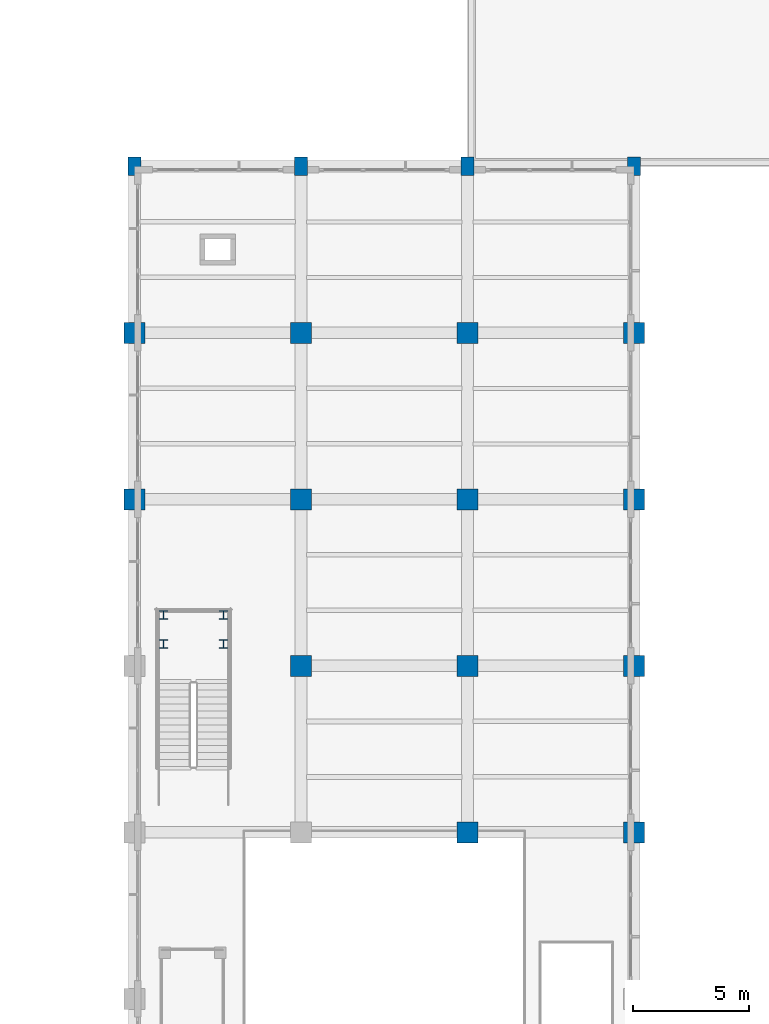
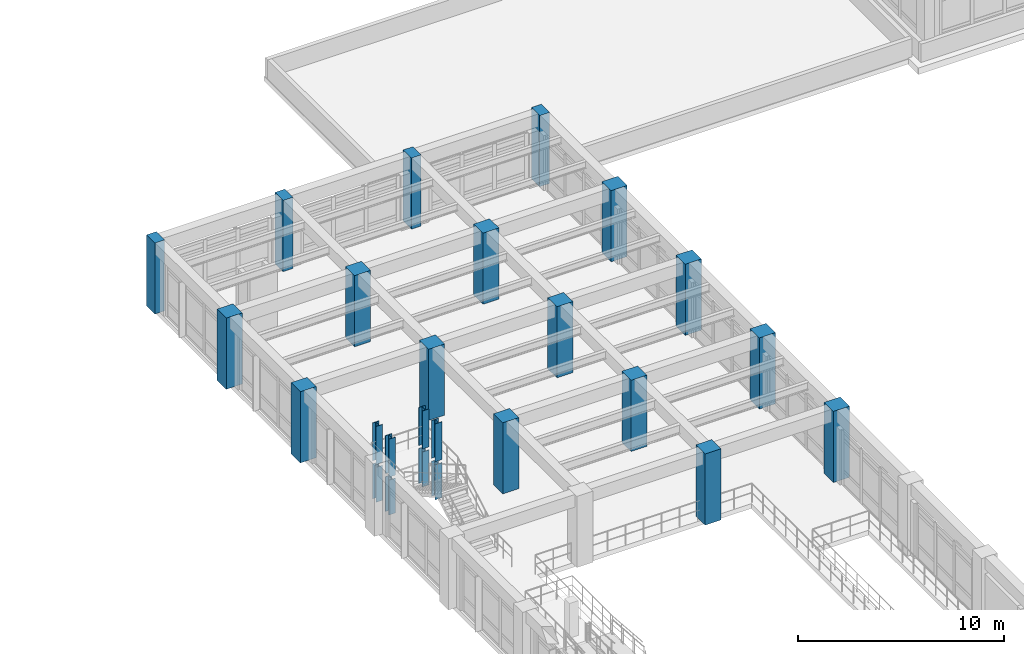
# One storey, part 2 of 69: 25 columns.
"""IFC4 building model written with IfcOpenShell, lengths in metres."""

from ifc_helpers import new_model, si_unit, direction, frame, origin, origin_2d, place, context, subcontext, project, spatial, rectangle, i_section, extrude, material, material_profile, profile_set, type_object, element, save


model = new_model("IFC4")

# Units and contexts
model_context = context("Model", 3, precision=1e-05, world=origin(), true_north=direction((0.0, 1.0)))
body_context = subcontext(model_context, "Body", "Model", "MODEL_VIEW")
ifc_project = project(units=[si_unit("LENGTHUNIT", "METRE"), si_unit("AREAUNIT", "SQUARE_METRE"), si_unit("VOLUMEUNIT", "CUBIC_METRE"), si_unit("PLANEANGLEUNIT", "RADIAN"), si_unit("MASSUNIT", "GRAM", prefix="KILO")], contexts=[model_context])

# Site, building, storey
site_placement = place(None, origin())
site = spatial("IfcSite", under=ifc_project, at=site_placement, CompositionType="ELEMENT")
building_placement = place(site_placement, origin())
building = spatial("IfcBuilding", under=site, at=building_placement, Name="Solenvale Faculty of Natural Sciences", CompositionType="ELEMENT")
storey_placement = place(building_placement, frame((0.0, 0.0, 4.5)))
storey = spatial("IfcBuildingStorey", under=building, at=storey_placement, Name="L01", CompositionType="ELEMENT", Elevation=4.5)

# Columns
ifc_material_1 = material(Name="Concrete 50 MPa", Category="concrete")
ifc_material_profile_1 = material_profile(ifc_material_1, rectangle(XDim=0.550048828125, YDim=0.800048828125, at=origin_2d()), Name="RC-COL-550x800")
ifc_profile_set_1 = profile_set([ifc_material_profile_1], Name="Concrete 50 MPa")
column_type_1 = type_object("IfcColumnType", Name="COL-RC-550x800", PredefinedType="COLUMN", material=ifc_profile_set_1)
for number, where, z_axis, x_axis, name in (
    (1, (36.0, 93.60009765625, 0.0), (0.0, 0.0, 1.0), (1.0, 0.0, 0.0), "L01 Column (36.0, 93.6)"),
    (2, (43.199951171875, 93.60009765625, 0.0), (0.0, 0.0, 1.0), (1.0, 0.0, 0.0), "L01 Column (43.2, 93.6)"),
    (3, (50.39990234375, 93.60009765625, 0.0), (0.0, 0.0, 1.0), (1.0, 0.0, 0.0), "L01 Column (50.4, 93.6)"),
    (4, (57.60009765625, 93.60009765625, 0.0), (0.0, 0.0, 1.0), (1.0, 0.0, 0.0), "L01 Column (57.6, 93.6)"),
):
    element("IfcColumn", number, at=place(storey_placement, frame(where, z_axis=z_axis, x_axis=x_axis)), inside=storey, type_object=column_type_1, Name=name, PredefinedType="COLUMN", context=body_context, shape_type="SweptSolid", body=[
        extrude(rectangle(XDim=0.550048828125, YDim=0.800048828125, at=origin_2d()), origin(), (0.0, 0.0, 1.0), 4.219970703125),
    ])
ifc_material_profile_2 = material_profile(ifc_material_1, rectangle(XDim=0.89990234375, YDim=0.89990234375, at=origin_2d()), Name="RC-COL-900x900")
ifc_profile_set_2 = profile_set([ifc_material_profile_2], Name="Concrete 50 MPa")
column_type_2 = type_object("IfcColumnType", Name="COL-RC-900", PredefinedType="COLUMN", material=ifc_profile_set_2)
for number, where, z_axis, x_axis, name in (
    (5, (36.0, 79.199951171875, 0.0), (0.0, 0.0, 1.0), (1.0, 0.0, 0.0), "L01 Column (36.0, 79.2)"),
    (6, (36.0, 86.39990234375, 0.0), (0.0, 0.0, 1.0), (1.0, 0.0, 0.0), "L01 Column (36.0, 86.4)"),
    (7, (43.199951171875, 72.0, 0.0), (0.0, 0.0, 1.0), (1.0, 0.0, 0.0), "L01 Column (43.2, 72.0)"),
    (8, (43.199951171875, 79.199951171875, 0.0), (0.0, 0.0, 1.0), (1.0, 0.0, 0.0), "L01 Column (43.2, 79.2)"),
    (9, (43.199951171875, 86.39990234375, 0.0), (0.0, 0.0, 1.0), (1.0, 0.0, 0.0), "L01 Column (43.2, 86.4)"),
    (10, (50.39990234375, 64.800048828125, 0.0), (0.0, 0.0, 1.0), (1.0, 0.0, 0.0), "L01 Column (50.4, 64.8)"),
    (11, (50.39990234375, 72.0, 0.0), (0.0, 0.0, 1.0), (1.0, 0.0, 0.0), "L01 Column (50.4, 72.0)"),
    (12, (50.39990234375, 79.199951171875, 0.0), (0.0, 0.0, 1.0), (1.0, 0.0, 0.0), "L01 Column (50.4, 79.2)"),
    (13, (50.39990234375, 86.39990234375, 0.0), (0.0, 0.0, 1.0), (1.0, 0.0, 0.0), "L01 Column (50.4, 86.4)"),
    (14, (57.60009765625, 64.800048828125, 0.0), (0.0, 0.0, 1.0), (1.0, 0.0, 0.0), "L01 Column (57.6, 64.8)"),
    (15, (57.60009765625, 72.0, 0.0), (0.0, 0.0, 1.0), (1.0, 0.0, 0.0), "L01 Column (57.6, 72.0)"),
    (16, (57.60009765625, 79.199951171875, 0.0), (0.0, 0.0, 1.0), (1.0, 0.0, 0.0), "L01 Column (57.6, 79.2)"),
    (17, (57.60009765625, 86.39990234375, 0.0), (0.0, 0.0, 1.0), (1.0, 0.0, 0.0), "L01 Column (57.6, 86.4)"),
):
    element("IfcColumn", number, at=place(storey_placement, frame(where, z_axis=z_axis, x_axis=x_axis)), inside=storey, type_object=column_type_2, Name=name, PredefinedType="COLUMN", context=body_context, shape_type="SweptSolid", body=[
        extrude(rectangle(XDim=0.89990234375, YDim=0.89990234375, at=origin_2d()), origin(), (0.0, 0.0, 1.0), 4.219970703125),
    ])
ifc_material_2 = material(Name="Steel S355", Category="steel")
ifc_material_profile_3 = material_profile(ifc_material_2, i_section(OverallWidth=0.37109375, OverallDepth=0.364013671875, WebThickness=0.01318359375, FlangeThickness=0.021728515625, FilletRadius=0.02197265625, at=origin_2d()), Name="W360x162")
ifc_profile_set_3 = profile_set([ifc_material_profile_3], Name="Steel S355")
column_type_3 = type_object("IfcColumnType", Name="COL-STL-W360x162", PredefinedType="COLUMN", material=ifc_profile_set_3)
column_1_placement = place(storey_placement, frame((37.25, 72.949951171875, 0.0), z_axis=(0.0, 0.0, 1.0), x_axis=(1.0, 0.0, 0.0)))
element("IfcColumn", 18, at=column_1_placement, inside=storey, type_object=column_type_3, Name="ST-06 L01 Lower Post", PredefinedType="COLUMN", context=body_context, shape_type="SweptSolid", body=[
    extrude(i_section(OverallWidth=0.37109375, OverallDepth=0.364013671875, WebThickness=0.01318359375, FlangeThickness=0.021728515625, FilletRadius=0.02197265625, at=origin_2d()), origin(), (0.0, 0.0, 1.0), 2.070068359375),
])
column_2_placement = place(storey_placement, frame((37.25, 72.949951171875, 2.25), z_axis=(0.0, 0.0, 1.0), x_axis=(1.0, 0.0, 0.0)))
element("IfcColumn", 19, at=column_2_placement, inside=storey, type_object=column_type_3, Name="ST-06 L01 Upper Post", PredefinedType="COLUMN", context=body_context, shape_type="SweptSolid", body=[
    extrude(i_section(OverallWidth=0.37109375, OverallDepth=0.364013671875, WebThickness=0.01318359375, FlangeThickness=0.021728515625, FilletRadius=0.02197265625, at=origin_2d()), origin(), (0.0, 0.0, 1.0), 2.25),
])
column_3_placement = place(storey_placement, frame((37.25, 74.199951171875, 0.0), z_axis=(0.0, 0.0, 1.0), x_axis=(1.0, 0.0, 0.0)))
element("IfcColumn", 20, at=column_3_placement, inside=storey, type_object=column_type_3, Name="ST-06 L01 Lower Post", PredefinedType="COLUMN", context=body_context, shape_type="SweptSolid", body=[
    extrude(i_section(OverallWidth=0.37109375, OverallDepth=0.364013671875, WebThickness=0.01318359375, FlangeThickness=0.021728515625, FilletRadius=0.02197265625, at=origin_2d()), origin(), (0.0, 0.0, 1.0), 2.070068359375),
])
column_4_placement = place(storey_placement, frame((37.25, 74.199951171875, 2.25), z_axis=(0.0, 0.0, 1.0), x_axis=(1.0, 0.0, 0.0)))
element("IfcColumn", 21, at=column_4_placement, inside=storey, type_object=column_type_3, Name="ST-06 L01 Upper Post", PredefinedType="COLUMN", context=body_context, shape_type="SweptSolid", body=[
    extrude(i_section(OverallWidth=0.37109375, OverallDepth=0.364013671875, WebThickness=0.01318359375, FlangeThickness=0.021728515625, FilletRadius=0.02197265625, at=origin_2d()), origin(), (0.0, 0.0, 1.0), 2.25),
])
column_5_placement = place(storey_placement, frame((39.85009765625, 72.949951171875, 0.0), z_axis=(0.0, 0.0, 1.0), x_axis=(1.0, 0.0, 0.0)))
element("IfcColumn", 22, at=column_5_placement, inside=storey, type_object=column_type_3, Name="ST-06 L01 Lower Post", PredefinedType="COLUMN", context=body_context, shape_type="SweptSolid", body=[
    extrude(i_section(OverallWidth=0.37109375, OverallDepth=0.364013671875, WebThickness=0.01318359375, FlangeThickness=0.021728515625, FilletRadius=0.02197265625, at=origin_2d()), origin(), (0.0, 0.0, 1.0), 2.070068359375),
])
column_6_placement = place(storey_placement, frame((39.85009765625, 72.949951171875, 2.25), z_axis=(0.0, 0.0, 1.0), x_axis=(1.0, 0.0, 0.0)))
element("IfcColumn", 23, at=column_6_placement, inside=storey, type_object=column_type_3, Name="ST-06 L01 Upper Post", PredefinedType="COLUMN", context=body_context, shape_type="SweptSolid", body=[
    extrude(i_section(OverallWidth=0.37109375, OverallDepth=0.364013671875, WebThickness=0.01318359375, FlangeThickness=0.021728515625, FilletRadius=0.02197265625, at=origin_2d()), origin(), (0.0, 0.0, 1.0), 2.25),
])
column_7_placement = place(storey_placement, frame((39.85009765625, 74.199951171875, 0.0), z_axis=(0.0, 0.0, 1.0), x_axis=(1.0, 0.0, 0.0)))
element("IfcColumn", 24, at=column_7_placement, inside=storey, type_object=column_type_3, Name="ST-06 L01 Lower Post", PredefinedType="COLUMN", context=body_context, shape_type="SweptSolid", body=[
    extrude(i_section(OverallWidth=0.37109375, OverallDepth=0.364013671875, WebThickness=0.01318359375, FlangeThickness=0.021728515625, FilletRadius=0.02197265625, at=origin_2d()), origin(), (0.0, 0.0, 1.0), 2.070068359375),
])
column_8_placement = place(storey_placement, frame((39.85009765625, 74.199951171875, 2.25), z_axis=(0.0, 0.0, 1.0), x_axis=(1.0, 0.0, 0.0)))
element("IfcColumn", 25, at=column_8_placement, inside=storey, type_object=column_type_3, Name="ST-06 L01 Upper Post", PredefinedType="COLUMN", context=body_context, shape_type="SweptSolid", body=[
    extrude(i_section(OverallWidth=0.37109375, OverallDepth=0.364013671875, WebThickness=0.01318359375, FlangeThickness=0.021728515625, FilletRadius=0.02197265625, at=origin_2d()), origin(), (0.0, 0.0, 1.0), 2.25),
])

save(model, "model.ifc")
